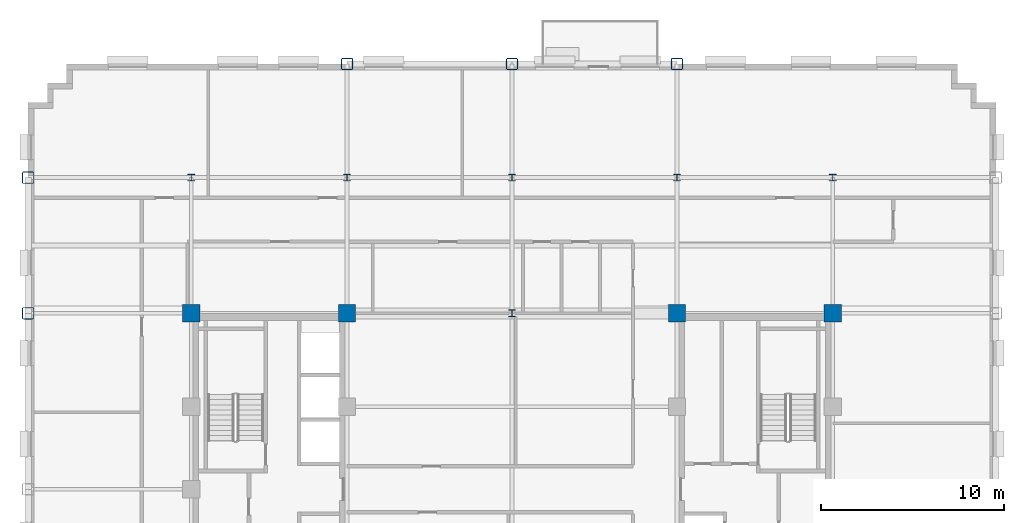
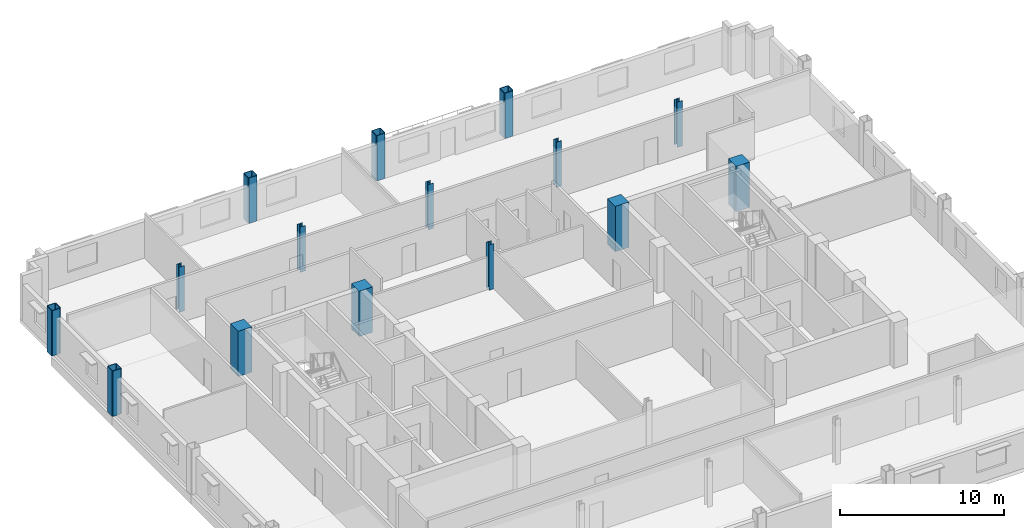
# One storey, part 3 of 14: 15 columns.
"""IFC4 building model written with IfcOpenShell, lengths in metres."""

import ifcopenshell
import ifcopenshell.guid

model = None  # the IFC model being written
_history = None  # IfcOwnerHistory: only IFC2X3 demands one
_inside = {}  # id of a spatial element -> (the spatial element, [elements in it])
_under = {}  # id of a project, library or spatial element -> (it, [spatial elements below it])
_declared = {}  # id of a project -> (the project, [libraries it declares])
_typed = {}  # id of a type object -> (the type object, [elements of that type])
_made_of = {}  # id of a material, layer set ... -> (it, [elements and type objects made of it])


def new_model(schema):
    """Start an empty IFC model of exactly this schema.

    Asked for "IFC4X3", IfcOpenShell would pick the latest addendum, in which some entities
    have other attributes; the version numbers below select the first issue.
    IFC2X3 requires an IfcOwnerHistory on every rooted entity: one is made here for all.
    """
    global model, _history
    if schema == "IFC4X3":
        model = ifcopenshell.file(schema_version=(4, 3, 0, 0))
    else:
        model = ifcopenshell.file(schema=schema)
    _inside.clear()
    _under.clear()
    _declared.clear()
    _typed.clear()
    _made_of.clear()
    _history = None
    if model.schema == "IFC2X3":
        org = make("IfcOrganization", Name="unknown")
        user = make(
            "IfcPersonAndOrganization",
            ThePerson=make("IfcPerson", FamilyName="unknown"),
            TheOrganization=org,
        )
        app = make(
            "IfcApplication",
            ApplicationDeveloper=org,
            Version="unknown",
            ApplicationFullName="unknown",
            ApplicationIdentifier="unknown",
        )
        _history = make(
            "IfcOwnerHistory",
            OwningUser=user,
            OwningApplication=app,
            ChangeAction="ADDED",
            CreationDate=0,
        )
    return model


def make(cls, **values):
    """One entity of the class cls with the attributes given. An attribute that is None is left unset."""
    return model.create_entity(
        cls, **{name: value for name, value in values.items() if value is not None}
    )


def rooted(cls, **values):
    """An entity with a GlobalId (a new one), such as an element, a storey or a relation."""
    return make(cls, GlobalId=ifcopenshell.guid.new(), OwnerHistory=_history, **values)


def si_unit(unit_type, name, prefix=None):
    """IfcSIUnit, for example si_unit("LENGTHUNIT", "METRE", prefix="MILLI")."""
    return make("IfcSIUnit", UnitType=unit_type, Prefix=prefix, Name=name)


def assignment(units):
    """IfcUnitAssignment: the units of a project."""
    return None if units is None else make("IfcUnitAssignment", Units=units)


def point(xyz):
    """IfcCartesianPoint."""
    return None if xyz is None else make("IfcCartesianPoint", Coordinates=xyz)


def direction(xyz):
    """IfcDirection."""
    return None if xyz is None else make("IfcDirection", DirectionRatios=xyz)


def frame(location, z_axis=None, x_axis=None):
    """IfcAxis2Placement3D, a coordinate frame: its origin and axes. An axis left out is left unset."""
    return make(
        "IfcAxis2Placement3D",
        Location=point(location),
        Axis=direction(z_axis),
        RefDirection=direction(x_axis),
    )


def frame_2d(location, x_axis=None):
    """IfcAxis2Placement2D, a coordinate frame in the plane: its origin and x axis."""
    return make(
        "IfcAxis2Placement2D", Location=point(location), RefDirection=direction(x_axis)
    )


def origin():
    """The frame at (0, 0, 0) with its axes left unset."""
    return frame((0.0, 0.0, 0.0))


def origin_2d():
    """The frame at (0, 0) in the plane with its x axis left unset."""
    return frame_2d((0.0, 0.0))


def place(relative_to, where):
    """IfcLocalPlacement: puts the frame where relative to a parent placement (None: the world)."""
    return make(
        "IfcLocalPlacement", PlacementRelTo=relative_to, RelativePlacement=where
    )


def context(
    kind, dimensions, precision=None, world=None, true_north=None, identifier=None
):
    """IfcGeometricRepresentationContext, for example the 3D "Model" context."""
    return make(
        "IfcGeometricRepresentationContext",
        ContextIdentifier=identifier,
        ContextType=kind,
        CoordinateSpaceDimension=dimensions,
        Precision=precision,
        WorldCoordinateSystem=world,
        TrueNorth=true_north,
    )


def subcontext(parent, identifier, kind, view, scale=None):
    """IfcGeometricRepresentationSubContext, for example "Body" below "Model"."""
    return make(
        "IfcGeometricRepresentationSubContext",
        ContextIdentifier=identifier,
        ContextType=kind,
        ParentContext=parent,
        TargetScale=scale,
        TargetView=view,
    )


def project(units=None, contexts=None):
    """IfcProject with its units and contexts."""
    return rooted(
        "IfcProject",
        Name="project",
        RepresentationContexts=contexts,
        UnitsInContext=assignment(units),
    )


def spatial(cls, under=None, at=None, **own):
    """A site, building, storey or space (cls), placed at a placement, below another one or the project."""
    s = rooted(cls, ObjectPlacement=at, **own)
    if under is not None:
        _under.setdefault(under.id(), (under, []))[1].append(s)
    return s


def profile(cls, at=None, kind="AREA", **sizes):
    """A parametric profile (cls). Its sizes go by their IFC names, for example OverallWidth=200.0."""
    return make(cls, ProfileType=kind, Position=at, **sizes)


def rectangle(**sizes):
    """IfcRectangleProfileDef."""
    return profile("IfcRectangleProfileDef", **sizes)


def hollow_rectangle(**sizes):
    """IfcRectangleHollowProfileDef."""
    return profile("IfcRectangleHollowProfileDef", **sizes)


def i_section(**sizes):
    """IfcIShapeProfileDef."""
    return profile("IfcIShapeProfileDef", **sizes)


def extrude(swept, where, along, depth):
    """IfcExtrudedAreaSolid: the profile swept, set in the frame where, extruded along a direction by depth."""
    return make(
        "IfcExtrudedAreaSolid",
        SweptArea=swept,
        Position=where,
        ExtrudedDirection=direction(along),
        Depth=depth,
    )


def shape(context_of_items, identifier, shape_type, items):
    """IfcShapeRepresentation: the items that make up one representation, for example the "Body"."""
    return make(
        "IfcShapeRepresentation",
        ContextOfItems=context_of_items,
        RepresentationIdentifier=identifier,
        RepresentationType=shape_type,
        Items=items,
    )


def material(Name=None, Category=None):
    """IfcMaterial."""
    return make("IfcMaterial", Name=Name, Category=Category)


def material_profile(
    of_material, cross_section, Name=None, Category=None, Priority=None
):
    """IfcMaterialProfile: a cross section and its material."""
    return make(
        "IfcMaterialProfile",
        Name=Name,
        Material=of_material,
        Profile=cross_section,
        Priority=Priority,
        Category=Category,
    )


def profile_set(profiles, Name=None, composite=None):
    """IfcMaterialProfileSet."""
    return make(
        "IfcMaterialProfileSet",
        Name=Name,
        MaterialProfiles=profiles,
        CompositeProfile=composite,
    )


def made_of(thing, what):
    """Note that an element or type object is made of a material, layer set ...; save() writes the relation."""
    if what is not None:
        _made_of.setdefault(what.id(), (what, []))[1].append(thing)
    return thing


def type_object(cls, material=None, **own):
    """A type object (cls), such as IfcWallType, which elements share."""
    return made_of(rooted(cls, **own), material)


def element(
    cls,
    number,
    at=None,
    inside=None,
    cuts=None,
    type_object=None,
    material=None,
    context=None,
    identifier="Body",
    shape_type=None,
    held_by="IfcProductDefinitionShape",
    body=None,
    shapes=None,
    **own,
):
    """One element of the class cls, such as IfcWall. Its Tag is "e" and its number.

    at: its placement. inside: the storey or other place that contains it. cuts: it is an
    opening in that element (IfcRelVoidsElement). A single representation is given by context,
    identifier, shape_type and body (its items); several are given by shapes. held_by: the class
    of the entity that holds the representations. save() writes the other relations.
    """
    e = rooted(cls, Tag="e%d" % number, ObjectPlacement=at, **own)
    if body is not None:
        shapes = [shape(context, identifier, shape_type, body)]
    if shapes is not None:
        e.Representation = make(held_by, Representations=shapes)
    if inside is not None:
        _inside.setdefault(inside.id(), (inside, []))[1].append(e)
    if cuts is not None:
        rooted(
            "IfcRelVoidsElement", RelatingBuildingElement=cuts, RelatedOpeningElement=e
        )
    if type_object is not None:
        _typed.setdefault(type_object.id(), (type_object, []))[1].append(e)
    return made_of(e, material)


def aggregate(whole, parts):
    """IfcRelAggregates: a whole, such as a stair, and the parts it consists of."""
    return rooted("IfcRelAggregates", RelatingObject=whole, RelatedObjects=parts)


def save(model, path):
    """Write the relations noted so far, then the file.

    IfcRelAggregates (storeys below a building ...), IfcRelContainedInSpatialStructure (elements
    in a storey), IfcRelDefinesByType, IfcRelAssociatesMaterial and IfcRelDeclares: one each for
    every whole, place, type object, material and project.
    """
    for whole, parts in _under.values():
        aggregate(whole, parts)
    for where, things in _inside.values():
        rooted(
            "IfcRelContainedInSpatialStructure",
            RelatedElements=things,
            RelatingStructure=where,
        )
    for kind, things in _typed.values():
        rooted("IfcRelDefinesByType", RelatedObjects=things, RelatingType=kind)
    for what, things in _made_of.values():
        rooted("IfcRelAssociatesMaterial", RelatedObjects=things, RelatingMaterial=what)
    for by, libraries in _declared.values():
        rooted("IfcRelDeclares", RelatingContext=by, RelatedDefinitions=libraries)
    model.write(path)


model = new_model("IFC4")

# Units and contexts
model_context = context("Model", 3, precision=1e-05, world=origin(), true_north=direction((0.0, 1.0)))
body_context = subcontext(model_context, "Body", "Model", "MODEL_VIEW")
ifc_project = project(units=[si_unit("LENGTHUNIT", "METRE"), si_unit("AREAUNIT", "SQUARE_METRE"), si_unit("VOLUMEUNIT", "CUBIC_METRE"), si_unit("PLANEANGLEUNIT", "RADIAN"), si_unit("MASSUNIT", "GRAM", prefix="KILO")], contexts=[model_context])

# Site, building, storey
site_placement = place(None, origin())
site = spatial("IfcSite", under=ifc_project, at=site_placement, CompositionType="ELEMENT")
building_placement = place(site_placement, origin())
building = spatial("IfcBuilding", under=site, at=building_placement, Name="Nuvemarco Arch Tower", CompositionType="ELEMENT")
storey_placement = place(building_placement, frame((0.0, 0.0, 142.10009765625)))
storey = spatial("IfcBuildingStorey", under=building, at=storey_placement, Name="L37", CompositionType="ELEMENT", Elevation=142.10009765625)

# Columns
ifc_material_1 = material(Name="Concrete C50/60", Category="concrete")
ifc_material_profile_1 = material_profile(ifc_material_1, rectangle(XDim=0.949951171875, YDim=0.949951171875, at=origin_2d()), Name="RC-COL-950x950")
ifc_profile_set_1 = profile_set([ifc_material_profile_1], Name="Concrete C50/60")
column_type_1 = type_object("IfcColumnType", Name="COL-CORE-950", PredefinedType="COLUMN", material=ifc_profile_set_1)
for number, where, z_axis, x_axis, name in (
    (1, (-17.5, 9.60009765625, 0.0), (0.0, 0.0, 1.0), (1.0, 0.0, 0.0), "L37 column CC_-17.5_+9.6"),
    (2, (-9.0, 9.60009765625, 0.0), (0.0, 0.0, 1.0), (1.0, 0.0, 0.0), "L37 column CC_-9.0_+9.6"),
    (3, (9.0, 9.60009765625, 0.0), (0.0, 0.0, 1.0), (1.0, 0.0, 0.0), "L37 column CC_+9.0_+9.6"),
    (4, (17.5, 9.60009765625, 0.0), (0.0, 0.0, 1.0), (1.0, 0.0, 0.0), "L37 column CC_+17.5_+9.6"),
):
    element("IfcColumn", number, at=place(storey_placement, frame(where, z_axis=z_axis, x_axis=x_axis)), inside=storey, type_object=column_type_1, Name=name, PredefinedType="COLUMN", context=body_context, shape_type="SweptSolid", body=[
        extrude(rectangle(XDim=0.949951171875, YDim=0.949951171875, at=origin_2d()), origin(), (0.0, 0.0, 1.0), 3.369873046875),
    ])
ifc_material_2 = material(Name="Steel S355", Category="steel")
ifc_material_profile_2 = material_profile(ifc_material_2, hollow_rectangle(XDim=0.64990234375, YDim=0.64990234375, WallThickness=0.0400390625, InnerFilletRadius=0.0400390625, OuterFilletRadius=0.080078125, at=origin_2d()), Name="SHS650x650x40")
ifc_profile_set_2 = profile_set([ifc_material_profile_2], Name="Steel S355")
column_type_2 = type_object("IfcColumnType", Name="COL-EXO-650", PredefinedType="COLUMN", material=ifc_profile_set_2)
for number, where, z_axis, x_axis, name in (
    (5, (-26.39990234375, 9.60009765625, 0.0), (0.0, 0.0, 1.0), (1.0, 0.0, 0.0), "L37 column CX_-26.4_+9.6"),
    (6, (-26.39990234375, 17.0, 0.0), (0.0, 0.0, 1.0), (1.0, 0.0, 0.0), "L37 column CX_-26.4_+17.0"),
    (7, (-9.0, 23.199951171875, 0.0), (0.0, 0.0, 1.0), (1.0, 0.0, 0.0), "L37 column CY_-9.0_+23.2"),
    (8, (0.0, 23.199951171875, 0.0), (0.0, 0.0, 1.0), (1.0, 0.0, 0.0), "L37 column CY_+0.0_+23.2"),
    (9, (9.0, 23.199951171875, 0.0), (0.0, 0.0, 1.0), (1.0, 0.0, 0.0), "L37 column CY_+9.0_+23.2"),
):
    element("IfcColumn", number, at=place(storey_placement, frame(where, z_axis=z_axis, x_axis=x_axis)), inside=storey, type_object=column_type_2, Name=name, PredefinedType="COLUMN", context=body_context, shape_type="SweptSolid", body=[
        extrude(hollow_rectangle(XDim=0.64990234375, YDim=0.64990234375, WallThickness=0.0400390625, InnerFilletRadius=0.0400390625, OuterFilletRadius=0.080078125, at=origin_2d()), origin(), (0.0, 0.0, 1.0), 3.369873046875),
    ])
ifc_material_profile_3 = material_profile(ifc_material_2, i_section(OverallWidth=0.360107421875, OverallDepth=0.360107421875, WebThickness=0.0205078125, FlangeThickness=0.0205078125, FilletRadius=0.01806640625, at=origin_2d()), Name="HP360x174")
ifc_profile_set_3 = profile_set([ifc_material_profile_3], Name="Steel S355")
column_type_3 = type_object("IfcColumnType", Name="COL-STL-HP360", PredefinedType="COLUMN", material=ifc_profile_set_3)
for number, where, z_axis, x_axis, name in (
    (10, (0.0, 9.60009765625, 0.0), (0.0, 0.0, 1.0), (1.0, 0.0, 0.0), "L37 column CI_+0.0_+9.6"),
    (11, (0.0, 17.0, 0.0), (0.0, 0.0, 1.0), (1.0, 0.0, 0.0), "L37 column CI_+0.0_+17.0"),
    (12, (-17.5, 17.0, 0.0), (0.0, 0.0, 1.0), (1.0, 0.0, 0.0), "L37 column CI_-17.5_+17.0"),
    (13, (-9.0, 17.0, 0.0), (0.0, 0.0, 1.0), (1.0, 0.0, 0.0), "L37 column CI_-9.0_+17.0"),
    (14, (9.0, 17.0, 0.0), (0.0, 0.0, 1.0), (1.0, 0.0, 0.0), "L37 column CI_+9.0_+17.0"),
    (15, (17.5, 17.0, 0.0), (0.0, 0.0, 1.0), (1.0, 0.0, 0.0), "L37 column CI_+17.5_+17.0"),
):
    element("IfcColumn", number, at=place(storey_placement, frame(where, z_axis=z_axis, x_axis=x_axis)), inside=storey, type_object=column_type_3, Name=name, PredefinedType="COLUMN", context=body_context, shape_type="SweptSolid", body=[
        extrude(i_section(OverallWidth=0.360107421875, OverallDepth=0.360107421875, WebThickness=0.0205078125, FlangeThickness=0.0205078125, FilletRadius=0.01806640625, at=origin_2d()), origin(), (0.0, 0.0, 1.0), 3.369873046875),
    ])

save(model, "model.ifc")
